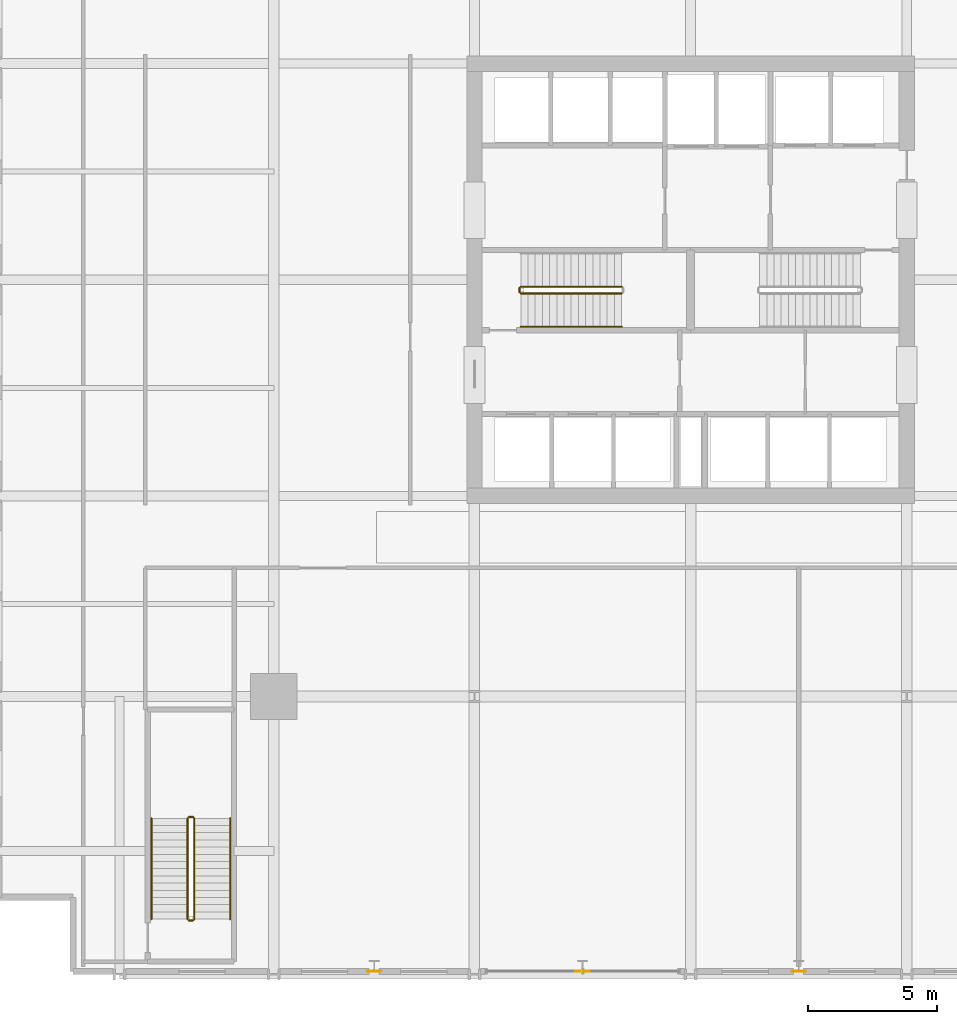
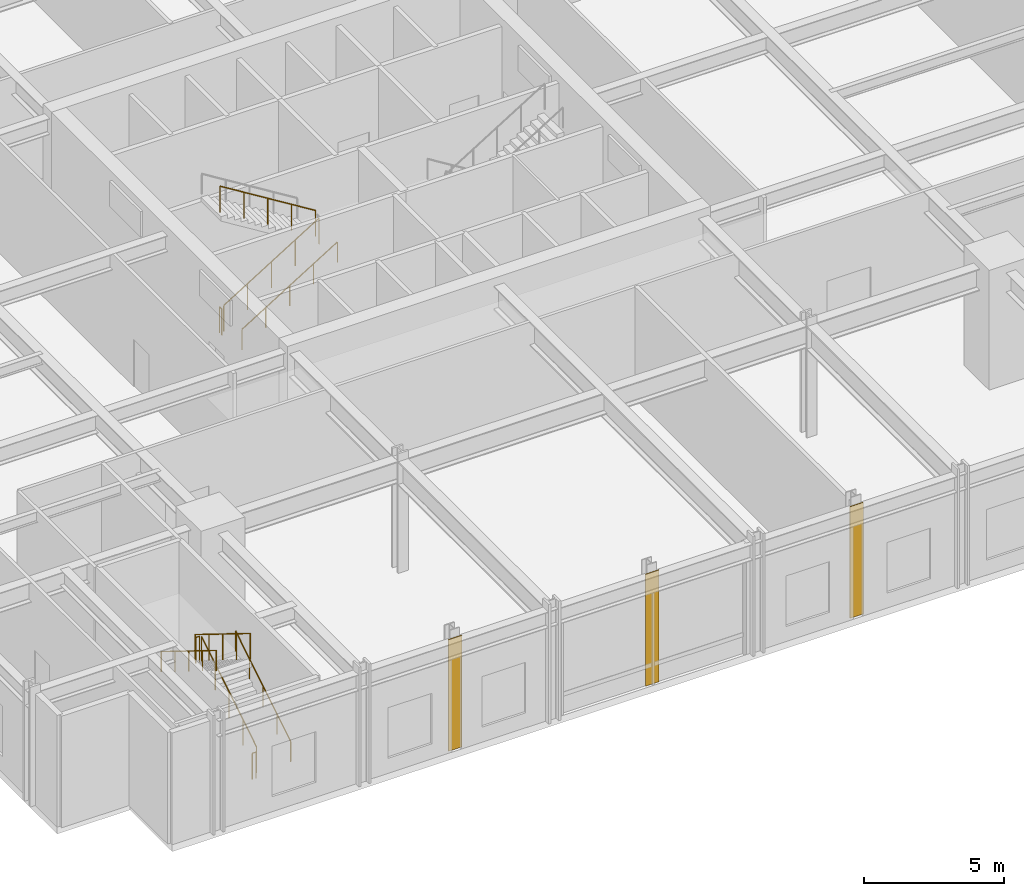
# One storey, part 15 of 20: 10 railings, 3 coverings.
"""IFC4 building model written with IfcOpenShell, lengths in metres."""

from ifc_helpers import new_model, si_unit, direction, frame, origin, origin_2d, place, context, subcontext, project, spatial, rectangle, circle, extrude, material, layer, layer_set, type_object, element, save


model = new_model("IFC4")

# Units and contexts
model_context = context("Model", 3, precision=1e-05, world=origin(), true_north=direction((0.0, 1.0)))
body_context = subcontext(model_context, "Body", "Model", "MODEL_VIEW")
ifc_project = project(units=[si_unit("LENGTHUNIT", "METRE"), si_unit("AREAUNIT", "SQUARE_METRE"), si_unit("VOLUMEUNIT", "CUBIC_METRE"), si_unit("PLANEANGLEUNIT", "RADIAN"), si_unit("MASSUNIT", "GRAM", prefix="KILO")], contexts=[model_context])

# Site, building, storey
site_placement = place(None, origin())
site = spatial("IfcSite", under=ifc_project, at=site_placement, CompositionType="ELEMENT")
building_placement = place(site_placement, origin())
building = spatial("IfcBuilding", under=site, at=building_placement, Name="Drelvath Grand Hotel", CompositionType="ELEMENT")
storey_placement = place(building_placement, frame((0.0, 0.0, 5.60009765625)))
storey = spatial("IfcBuildingStorey", under=building, at=storey_placement, Name="L01", CompositionType="ELEMENT", Elevation=5.60009765625)

# Coverings
ifc_material_1 = material(Name="Warm Bronze Anodised Aluminium Cladding", Category="aluminium")
ifc_layer = layer(ifc_material_1, 0.034912109375)
ifc_layer_set = layer_set([ifc_layer], Name="Warm Bronze Anodised Aluminium Cladding")
covering_type = type_object("IfcCoveringType", Name="Bronze Anodised Pier Cladding Panel 35", PredefinedType="CLADDING", material=ifc_layer_set)
for number, where, z_axis, x_axis, name in (
    (1, (-12.300048828125, 0.1201171875, -0.000244140625), (0.0, 0.0, 1.0), (1.0, 0.0, 0.0), "L01 Colonnade Bronze Pier Cladding S1"),
    (2, (-4.199951171875, 0.1201171875, -0.000244140625), (0.0, 0.0, 1.0), (1.0, 0.0, 0.0), "L01 Colonnade Bronze Pier Cladding S2"),
    (3, (4.199951171875, 0.1201171875, -0.000244140625), (0.0, 0.0, 1.0), (1.0, 0.0, 0.0), "L01 Colonnade Bronze Pier Cladding S3"),
):
    element("IfcCovering", number, at=place(storey_placement, frame(where, z_axis=z_axis, x_axis=x_axis)), inside=storey, type_object=covering_type, Name=name, PredefinedType="CLADDING", context=body_context, shape_type="SweptSolid", body=[
        extrude(rectangle(XDim=0.550048828125, YDim=0.034912109375, at=origin_2d()), origin(), (0.0, 0.0, 1.0), 4.85009765625),
    ])

# Railings
ifc_material_2 = material(Name="Painted Steel S275", Category="steel")
railing_type_1 = type_object("IfcRailingType", Name="Core Stair Wall Handrail 900", PredefinedType="HANDRAIL", material=ifc_material_2)
railing_1_placement = place(storey_placement, frame((-6.60009765625, 25.169921875, 0.17333984375)))
element("IfcRailing", 4, at=railing_1_placement, inside=storey, type_object=railing_type_1, Name="L01 ST-1 stair handrail 1", PredefinedType="HANDRAIL", context=body_context, shape_type="SweptSolid", body=[
    extrude(circle(Radius=0.02392578125, at=origin_2d()), frame((0.0, 0.0, 0.8759765625), z_axis=(0.850289973577, 0.0, 0.526314507528), x_axis=(0.0, 1.0, 0.0)), (0.0, 0.0, 1.0), 4.6103515625),
    extrude(circle(Radius=0.02099609375, at=origin_2d()), origin(), (0.0, 0.0, 1.0), 0.851806640625),
    extrude(circle(Radius=0.02099609375, at=origin_2d()), frame((0.97998046875, 0.0, 0.606689453125)), (0.0, 0.0, 1.0), 0.851806640625),
    extrude(circle(Radius=0.02099609375, at=origin_2d()), frame((1.9599609375, 0.0, 1.21337890625)), (0.0, 0.0, 1.0), 0.851806640625),
    extrude(circle(Radius=0.02099609375, at=origin_2d()), frame((2.940185546875, 0.0, 1.81982421875)), (0.0, 0.0, 1.0), 0.851806640625),
    extrude(circle(Radius=0.02099609375, at=origin_2d()), frame((3.920166015625, 0.0, 2.426513671875)), (0.0, 0.0, 1.0), 0.851806640625),
])
railing_2_placement = place(storey_placement, frame((-17.889892578125, 2.14990234375, 0.17333984375)))
element("IfcRailing", 5, at=railing_2_placement, inside=storey, type_object=railing_type_1, Name="L01 ST-3 stair handrail 1", PredefinedType="HANDRAIL", context=body_context, shape_type="SweptSolid", body=[
    extrude(circle(Radius=0.02392578125, at=origin_2d()), frame((0.0, 0.0, 0.8759765625), z_axis=(0.0, 0.850289973577, 0.526314507528), x_axis=(-1.0, 0.0, 0.0)), (0.0, 0.0, 1.0), 4.6103515625),
    extrude(circle(Radius=0.02099609375, at=origin_2d()), origin(), (0.0, 0.0, 1.0), 0.851806640625),
    extrude(circle(Radius=0.02099609375, at=origin_2d()), frame((0.0, 0.97998046875, 0.606689453125)), (0.0, 0.0, 1.0), 0.851806640625),
    extrude(circle(Radius=0.02099609375, at=origin_2d()), frame((0.0, 1.9599609375, 1.21337890625)), (0.0, 0.0, 1.0), 0.851806640625),
    extrude(circle(Radius=0.02099609375, at=origin_2d()), frame((0.0, 2.940185546875, 1.81982421875)), (0.0, 0.0, 1.0), 0.851806640625),
    extrude(circle(Radius=0.02099609375, at=origin_2d()), frame((0.0, 3.920166015625, 2.426513671875)), (0.0, 0.0, 1.0), 0.851806640625),
])
railing_3_placement = place(storey_placement, frame((-20.949951171875, 6.070068359375, 2.773193359375)))
element("IfcRailing", 6, at=railing_3_placement, inside=storey, type_object=railing_type_1, Name="L01 ST-3 stair handrail 2", PredefinedType="HANDRAIL", context=body_context, shape_type="SweptSolid", body=[
    extrude(circle(Radius=0.02392578125, at=origin_2d()), frame((0.0, 0.0, 0.8759765625), z_axis=(0.0, -0.850266275192, 0.526352791643), x_axis=(1.0, 0.0, 0.0)), (0.0, 0.0, 1.0), 4.610595703125),
    extrude(circle(Radius=0.02099609375, at=origin_2d()), origin(), (0.0, 0.0, 1.0), 0.851806640625),
    extrude(circle(Radius=0.02099609375, at=origin_2d()), frame((0.0, -0.97998046875, 0.606689453125)), (0.0, 0.0, 1.0), 0.851806640625),
    extrude(circle(Radius=0.02099609375, at=origin_2d()), frame((0.0, -1.9599609375, 1.21337890625)), (0.0, 0.0, 1.0), 0.851806640625),
    extrude(circle(Radius=0.02099609375, at=origin_2d()), frame((0.0, -2.940185546875, 1.820068359375)), (0.0, 0.0, 1.0), 0.851806640625),
    extrude(circle(Radius=0.02099609375, at=origin_2d()), frame((0.0, -3.920166015625, 2.4267578125)), (0.0, 0.0, 1.0), 0.851806640625),
])
railing_type_2 = type_object("IfcRailingType", Name="Core Stair Well Guardrail 1100", PredefinedType="GUARDRAIL", material=ifc_material_2)
railing_4_placement = place(storey_placement, frame((-6.60009765625, 26.469970703125, 0.17333984375)))
element("IfcRailing", 7, at=railing_4_placement, inside=storey, type_object=railing_type_2, Name="L01 ST-1 stair guard 1", PredefinedType="GUARDRAIL", context=body_context, shape_type="SweptSolid", body=[
    extrude(circle(Radius=0.02392578125, at=origin_2d()), frame((0.0, 0.0, 1.1259765625), z_axis=(0.850289973577, 0.0, 0.526314507528), x_axis=(0.0, 1.0, 0.0)), (0.0, 0.0, 1.0), 4.6103515625),
    extrude(circle(Radius=0.02099609375, at=origin_2d()), origin(), (0.0, 0.0, 1.0), 1.101806640625),
    extrude(circle(Radius=0.02099609375, at=origin_2d()), frame((0.97998046875, 0.0, 0.606689453125)), (0.0, 0.0, 1.0), 1.101806640625),
    extrude(circle(Radius=0.02099609375, at=origin_2d()), frame((1.9599609375, 0.0, 1.21337890625)), (0.0, 0.0, 1.0), 1.101806640625),
    extrude(circle(Radius=0.02099609375, at=origin_2d()), frame((2.940185546875, 0.0, 1.81982421875)), (0.0, 0.0, 1.0), 1.101806640625),
    extrude(circle(Radius=0.02099609375, at=origin_2d()), frame((3.920166015625, 0.0, 2.426513671875)), (0.0, 0.0, 1.0), 1.101806640625),
])
railing_5_placement = place(storey_placement, frame((-2.679931640625, 26.72998046875, 2.773193359375)))
element("IfcRailing", 8, at=railing_5_placement, inside=storey, type_object=railing_type_2, Name="L01 ST-1 stair guard 3", PredefinedType="GUARDRAIL", context=body_context, shape_type="SweptSolid", body=[
    extrude(circle(Radius=0.02392578125, at=origin_2d()), frame((0.0, 0.0, 1.1259765625), z_axis=(-0.850266275192, 0.0, 0.526352791643), x_axis=(0.0, -1.0, 0.0)), (0.0, 0.0, 1.0), 4.610595703125),
    extrude(circle(Radius=0.02099609375, at=origin_2d()), origin(), (0.0, 0.0, 1.0), 1.101806640625),
    extrude(circle(Radius=0.02099609375, at=origin_2d()), frame((-0.97998046875, 0.0, 0.606689453125)), (0.0, 0.0, 1.0), 1.101806640625),
    extrude(circle(Radius=0.02099609375, at=origin_2d()), frame((-1.9599609375, 0.0, 1.21337890625)), (0.0, 0.0, 1.0), 1.101806640625),
    extrude(circle(Radius=0.02099609375, at=origin_2d()), frame((-2.940185546875, 0.0, 1.820068359375)), (0.0, 0.0, 1.0), 1.101806640625),
    extrude(circle(Radius=0.02099609375, at=origin_2d()), frame((-3.920166015625, 0.0, 2.4267578125)), (0.0, 0.0, 1.0), 1.101806640625),
])
railing_6_placement = place(storey_placement, frame((-6.64990234375, 26.52001953125, 0.0)))
element("IfcRailing", 9, at=railing_6_placement, inside=storey, type_object=railing_type_2, Name="L01 ST-1 stair guard 4", PredefinedType="GUARDRAIL", context=body_context, shape_type="SweptSolid", body=[
    extrude(circle(Radius=0.02392578125, at=origin_2d()), frame((0.0, 0.0, 1.1259765625), z_axis=(0.0, 1.0, 0.0), x_axis=(-1.0, 0.0, 0.0)), (0.0, 0.0, 1.0), 0.159912109375),
    extrude(circle(Radius=0.02099609375, at=origin_2d()), origin(), (0.0, 0.0, 1.0), 1.101806640625),
    extrude(circle(Radius=0.02099609375, at=origin_2d()), frame((0.0, 0.159912109375, 0.0)), (0.0, 0.0, 1.0), 1.101806640625),
])
railing_7_placement = place(storey_placement, frame((-19.2900390625, 2.14990234375, 0.17333984375)))
element("IfcRailing", 10, at=railing_7_placement, inside=storey, type_object=railing_type_2, Name="L01 ST-3 stair guard 1", PredefinedType="GUARDRAIL", context=body_context, shape_type="SweptSolid", body=[
    extrude(circle(Radius=0.02392578125, at=origin_2d()), frame((0.0, 0.0, 1.1259765625), z_axis=(0.0, 0.850289973577, 0.526314507528), x_axis=(-1.0, 0.0, 0.0)), (0.0, 0.0, 1.0), 4.6103515625),
    extrude(circle(Radius=0.02099609375, at=origin_2d()), origin(), (0.0, 0.0, 1.0), 1.101806640625),
    extrude(circle(Radius=0.02099609375, at=origin_2d()), frame((0.0, 0.97998046875, 0.606689453125)), (0.0, 0.0, 1.0), 1.101806640625),
    extrude(circle(Radius=0.02099609375, at=origin_2d()), frame((0.0, 1.9599609375, 1.21337890625)), (0.0, 0.0, 1.0), 1.101806640625),
    extrude(circle(Radius=0.02099609375, at=origin_2d()), frame((0.0, 2.940185546875, 1.81982421875)), (0.0, 0.0, 1.0), 1.101806640625),
    extrude(circle(Radius=0.02099609375, at=origin_2d()), frame((0.0, 3.920166015625, 2.426513671875)), (0.0, 0.0, 1.0), 1.101806640625),
])
railing_8_placement = place(storey_placement, frame((-19.340087890625, 6.1201171875, 2.599853515625)))
element("IfcRailing", 11, at=railing_8_placement, inside=storey, type_object=railing_type_2, Name="L01 ST-3 stair guard 2", PredefinedType="GUARDRAIL", context=body_context, shape_type="SweptSolid", body=[
    extrude(circle(Radius=0.02392578125, at=origin_2d()), frame((0.0, 0.0, 1.1259765625), z_axis=(-1.0, 0.0, 0.0), x_axis=(0.0, -1.0, 0.0)), (0.0, 0.0, 1.0), 0.159912109375),
    extrude(circle(Radius=0.02099609375, at=origin_2d()), origin(), (0.0, 0.0, 1.0), 1.101806640625),
    extrude(circle(Radius=0.02099609375, at=origin_2d()), frame((-0.159912109375, 0.0, 0.0)), (0.0, 0.0, 1.0), 1.101806640625),
])
railing_9_placement = place(storey_placement, frame((-19.550048828125, 6.070068359375, 2.773193359375)))
element("IfcRailing", 12, at=railing_9_placement, inside=storey, type_object=railing_type_2, Name="L01 ST-3 stair guard 3", PredefinedType="GUARDRAIL", context=body_context, shape_type="SweptSolid", body=[
    extrude(circle(Radius=0.02392578125, at=origin_2d()), frame((0.0, 0.0, 1.1259765625), z_axis=(0.0, -0.850266275192, 0.526352791643), x_axis=(1.0, 0.0, 0.0)), (0.0, 0.0, 1.0), 4.610595703125),
    extrude(circle(Radius=0.02099609375, at=origin_2d()), origin(), (0.0, 0.0, 1.0), 1.101806640625),
    extrude(circle(Radius=0.02099609375, at=origin_2d()), frame((0.0, -0.97998046875, 0.606689453125)), (0.0, 0.0, 1.0), 1.101806640625),
    extrude(circle(Radius=0.02099609375, at=origin_2d()), frame((0.0, -1.9599609375, 1.21337890625)), (0.0, 0.0, 1.0), 1.101806640625),
    extrude(circle(Radius=0.02099609375, at=origin_2d()), frame((0.0, -2.940185546875, 1.820068359375)), (0.0, 0.0, 1.0), 1.101806640625),
    extrude(circle(Radius=0.02099609375, at=origin_2d()), frame((0.0, -3.920166015625, 2.4267578125)), (0.0, 0.0, 1.0), 1.101806640625),
])
railing_10_placement = place(storey_placement, frame((-19.340087890625, 2.10009765625, 0.0)))
element("IfcRailing", 13, at=railing_10_placement, inside=storey, type_object=railing_type_2, Name="L01 ST-3 stair guard 4", PredefinedType="GUARDRAIL", context=body_context, shape_type="SweptSolid", body=[
    extrude(circle(Radius=0.02392578125, at=origin_2d()), frame((0.0, 0.0, 1.1259765625), z_axis=(-1.0, 0.0, 0.0), x_axis=(0.0, -1.0, 0.0)), (0.0, 0.0, 1.0), 0.159912109375),
    extrude(circle(Radius=0.02099609375, at=origin_2d()), origin(), (0.0, 0.0, 1.0), 1.101806640625),
    extrude(circle(Radius=0.02099609375, at=origin_2d()), frame((-0.159912109375, 0.0, 0.0)), (0.0, 0.0, 1.0), 1.101806640625),
])

save(model, "model.ifc")
